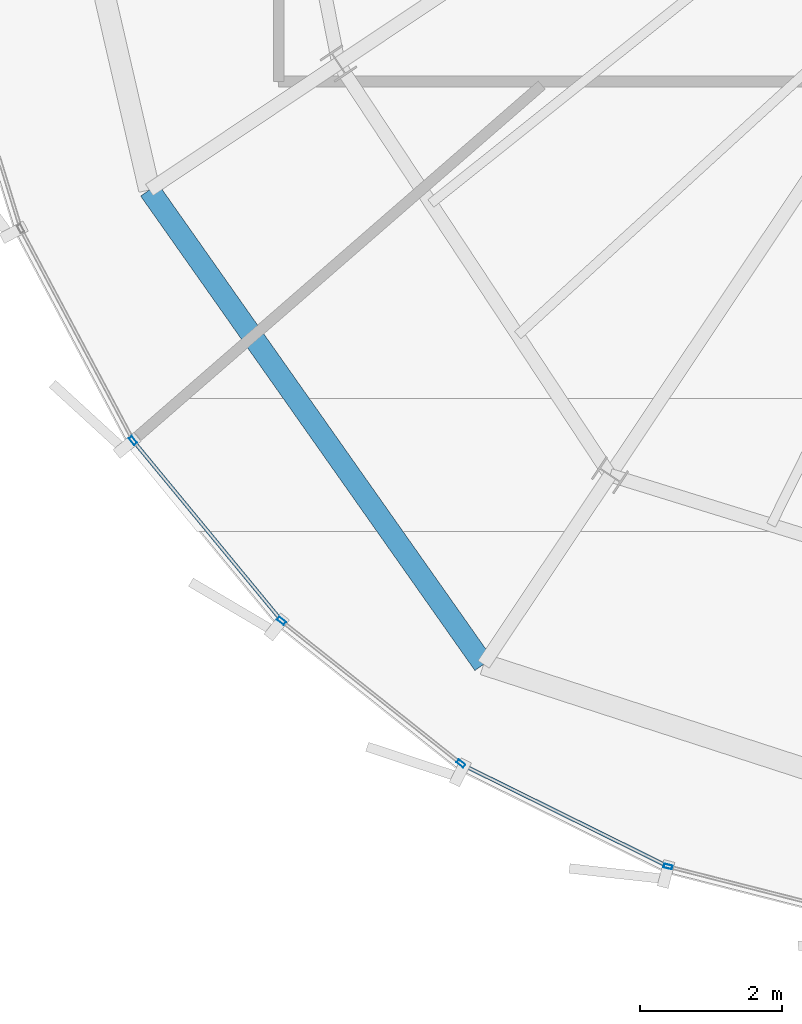
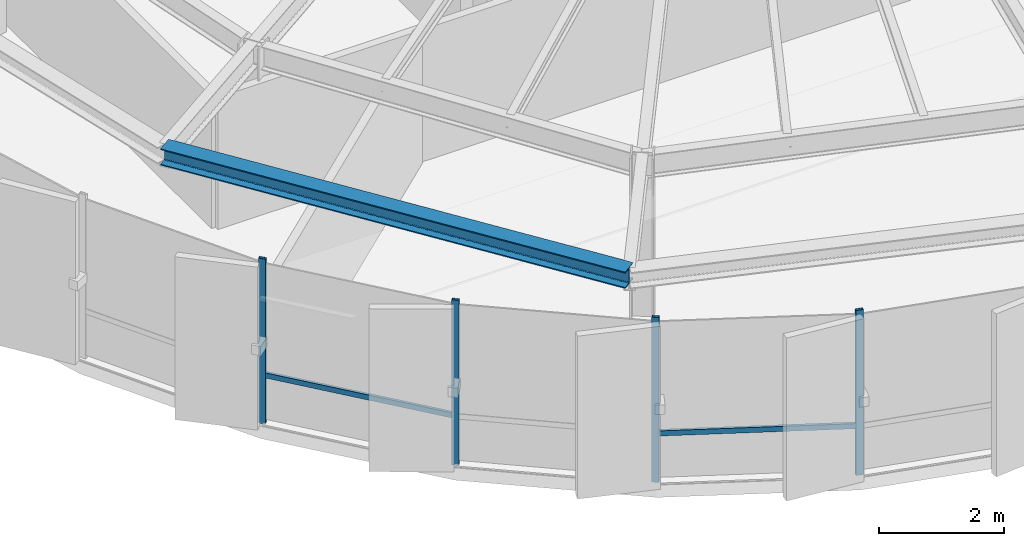
# One storey, part 2 of 33: 6 members, 1 beam, 2 elements without a shape of their own.
"""IFC4 building model written with IfcOpenShell, lengths in metres."""

from ifc_helpers import new_model, si_unit, direction, frame, origin, origin_2d, place, context, subcontext, project, spatial, hollow_rectangle, i_section, extrude, source, transform, mapped, material, layer, layer_set, material_profile, profile_set, type_object, element, aggregate, save


model = new_model("IFC4")

# Units and contexts
model_context = context("Model", 3, precision=1e-05, world=origin(), true_north=direction((0.0, 1.0)))
body_context = subcontext(model_context, "Body", "Model", "MODEL_VIEW")
ifc_project = project(units=[si_unit("LENGTHUNIT", "METRE"), si_unit("AREAUNIT", "SQUARE_METRE"), si_unit("VOLUMEUNIT", "CUBIC_METRE"), si_unit("PLANEANGLEUNIT", "RADIAN"), si_unit("MASSUNIT", "GRAM", prefix="KILO"), si_unit("THERMODYNAMICTEMPERATUREUNIT", "KELVIN")], contexts=[model_context])

# Site, building, storey
site_placement = place(None, origin())
site = spatial("IfcSite", under=ifc_project, at=site_placement, CompositionType="ELEMENT")
building_placement = place(site_placement, origin())
building = spatial("IfcBuilding", under=site, at=building_placement, Name="Kethvar Cultural Tower", CompositionType="ELEMENT")
storey_placement = place(building_placement, frame((0.0, 0.0, 266.35009765625)))
storey = spatial("IfcBuildingStorey", under=building, at=storey_placement, Name="L70", CompositionType="ELEMENT", Elevation=266.35009765625)

# Beam
ifc_material_1 = material(Name="Steel S355J2", Category="steel")
ifc_material_profile_1 = material_profile(ifc_material_1, i_section(OverallWidth=0.300048828125, OverallDepth=0.320068359375, WebThickness=0.011474609375, FlangeThickness=0.0205078125, FilletRadius=0.027099609375, at=origin_2d()), Name="Steel S355J2 — HEB320")
ifc_profile_set_1 = profile_set([ifc_material_profile_1], Name="Steel S355J2 — HEB320")
beam_type = type_object("IfcBeamType", Name="BM-SP320", PredefinedType="SPANDREL", material=ifc_profile_set_1)
shared_shape_1 = source(origin(), body_context, "Body", "SweptSolid", [
    extrude(i_section(OverallWidth=0.300048828125, OverallDepth=0.320068359375, WebThickness=0.011474609375, FlangeThickness=0.0205078125, FilletRadius=0.027099609375, at=origin_2d()), origin(), (0.0, 0.0, 1.0), 8.16259765625),
])
beam_placement = place(storey_placement, frame((30.252197265625, 16.7431640625, 3.0478515625), z_axis=(0.575940812748, -0.817491394579, 0.0), x_axis=(0.817491394579, 0.575940812748, 0.0)))
element("IfcBeam", 1, at=beam_placement, inside=storey, type_object=beam_type, Name="L70 Perimeter Spandrel Beam SP-10", PredefinedType="SPANDREL", context=body_context, shape_type="MappedRepresentation", body=[
    mapped(shared_shape_1, transform((0.0, 0.0, 0.0), scale=1.0)),
])

# Curtain wall, members
ifc_material_2 = material(Name="Aluminium 6063-T6", Category="aluminium")
ifc_layer = layer(ifc_material_2, 0.179931640625, Name="Aluminium 6063-T6", Category="aluminium")
ifc_layer_set = layer_set([ifc_layer], Name="Aluminium 6063-T6 (180 mm)")
curtain_wall_type = type_object("IfcCurtainWallType", Name="CW-SYS-05-Z56", PredefinedType="NOTDEFINED", material=ifc_layer_set)
curtain_wall_1_placement = place(storey_placement, origin())
curtain_wall_1 = element("IfcCurtainWall", 2, at=curtain_wall_1_placement, inside=storey, type_object=curtain_wall_type, Name="L70 Curtain Wall Run 03", PredefinedType="NOTDEFINED")
ifc_material_profile_2 = material_profile(ifc_material_2, hollow_rectangle(XDim=0.054931640625, YDim=0.1201171875, WallThickness=0.00390625, at=origin_2d()), Name="Aluminium 6063-T6 — RHS120x55x4")
ifc_profile_set_2 = profile_set([ifc_material_profile_2], Name="Aluminium 6063-T6 — RHS120x55x4")
member_type_1 = type_object("IfcMemberType", Name="CW-SYS-05-Z56-MUL", PredefinedType="MULLION", material=ifc_profile_set_2)
shared_shape_2 = source(origin(), body_context, "Body", "SweptSolid", [
    extrude(hollow_rectangle(XDim=0.054931640625, YDim=0.1201171875, WallThickness=0.00390625, at=origin_2d()), origin(), (0.0, 0.0, 1.0), 3.2099609375),
])
member_1_placement = place(storey_placement, frame((30.022216796875, 13.218994140625, 0.0), z_axis=(0.0, 0.0, 1.0), x_axis=(0.771635684929, 0.636064752791, 0.0)))
member_1 = element("IfcMember", 3, at=member_1_placement, type_object=member_type_1, Name="CW-L70-R03 Mullion 5", PredefinedType="MULLION", context=body_context, shape_type="MappedRepresentation", body=[
    mapped(shared_shape_2, transform((0.0, 0.0, 0.0), scale=1.0)),
])
member_2_placement = place(storey_placement, frame((32.1103515625, 10.682373046875, 0.0), z_axis=(0.0, 0.0, 1.0), x_axis=(0.622391697156, 0.782705931567, 0.0)))
member_2 = element("IfcMember", 4, at=member_2_placement, type_object=member_type_1, Name="CW-L70-R03 Mullion 6", PredefinedType="MULLION", context=body_context, shape_type="MappedRepresentation", body=[
    mapped(shared_shape_2, transform((0.0, 0.0, 0.0), scale=1.0)),
])
member_3_placement = place(storey_placement, frame((34.6337890625, 8.67578125, 0.0), z_axis=(0.0, 0.0, 1.0), x_axis=(0.622391697156, 0.782705931567, 0.0)))
member_3 = element("IfcMember", 5, at=member_3_placement, type_object=member_type_1, Name="CW-L70-R03 Mullion 7", PredefinedType="MULLION", context=body_context, shape_type="MappedRepresentation", body=[
    mapped(shared_shape_2, transform((0.0, 0.0, 0.0), scale=1.0)),
])

# Curtain wall, member
curtain_wall_2_placement = place(storey_placement, origin())
curtain_wall_2 = element("IfcCurtainWall", 6, at=curtain_wall_2_placement, inside=storey, type_object=curtain_wall_type, Name="L70 Curtain Wall Run 04", PredefinedType="NOTDEFINED")
member_4_placement = place(storey_placement, frame((37.54638671875, 7.227294921875, 0.0), z_axis=(0.0, 0.0, 1.0), x_axis=(0.246965187542, 0.969024352709, 0.0)))
member_4 = element("IfcMember", 7, at=member_4_placement, type_object=member_type_1, Name="CW-L70-R04 Mullion 2", PredefinedType="MULLION", context=body_context, shape_type="MappedRepresentation", body=[
    mapped(shared_shape_2, transform((0.0, 0.0, 0.0), scale=1.0)),
])

# Member
ifc_material_profile_3 = material_profile(ifc_material_2, hollow_rectangle(XDim=0.050048828125, YDim=0.10009765625, WallThickness=0.00390625, at=origin_2d()), Name="Aluminium 6063-T6 — RHS100x50x4")
ifc_profile_set_3 = profile_set([ifc_material_profile_3], Name="Aluminium 6063-T6 — RHS100x50x4")
member_type_2 = type_object("IfcMemberType", Name="CW-SYS-05-Z56-TRN", PredefinedType="USERDEFINED", material=ifc_profile_set_3)
shared_shape_3 = source(origin(), body_context, "Body", "SweptSolid", [
    extrude(hollow_rectangle(XDim=0.050048828125, YDim=0.10009765625, WallThickness=0.00390625, at=origin_2d()), origin(), (0.0, 0.0, 1.0), 3.22705078125),
])
member_5_placement = place(storey_placement, frame((30.047607421875, 13.1884765625, 0.949951171875), z_axis=(0.63602276251, -0.771670295897, 0.0), x_axis=(0.771670295897, 0.63602276251, 0.0)))
member_5 = element("IfcMember", 8, at=member_5_placement, type_object=member_type_2, Name="CW-L70-R03 Transom 5", ObjectType="TRANSOM", PredefinedType="USERDEFINED", context=body_context, shape_type="MappedRepresentation", body=[
    mapped(shared_shape_3, transform((0.0, 0.0, 0.0), scale=1.0)),
])

aggregate(curtain_wall_1, [member_1, member_2, member_3, member_5])

shared_shape_4 = source(origin(), body_context, "Body", "SweptSolid", [
    extrude(hollow_rectangle(XDim=0.050048828125, YDim=0.10009765625, WallThickness=0.00390625, at=origin_2d()), origin(), (0.0, 0.0, 1.0), 3.180419921875),
])
member_6_placement = place(storey_placement, frame((34.679443359375, 8.647216796875, 0.949951171875), z_axis=(0.896444564899, -0.443155889122, 0.0), x_axis=(0.443155889122, 0.896444564899, 0.0)))
member_6 = element("IfcMember", 9, at=member_6_placement, type_object=member_type_2, Name="CW-L70-R04 Transom 1", ObjectType="TRANSOM", PredefinedType="USERDEFINED", context=body_context, shape_type="MappedRepresentation", body=[
    mapped(shared_shape_4, transform((0.0, 0.0, 0.0), scale=1.0)),
])

aggregate(curtain_wall_2, [member_4, member_6])

save(model, "model.ifc")
